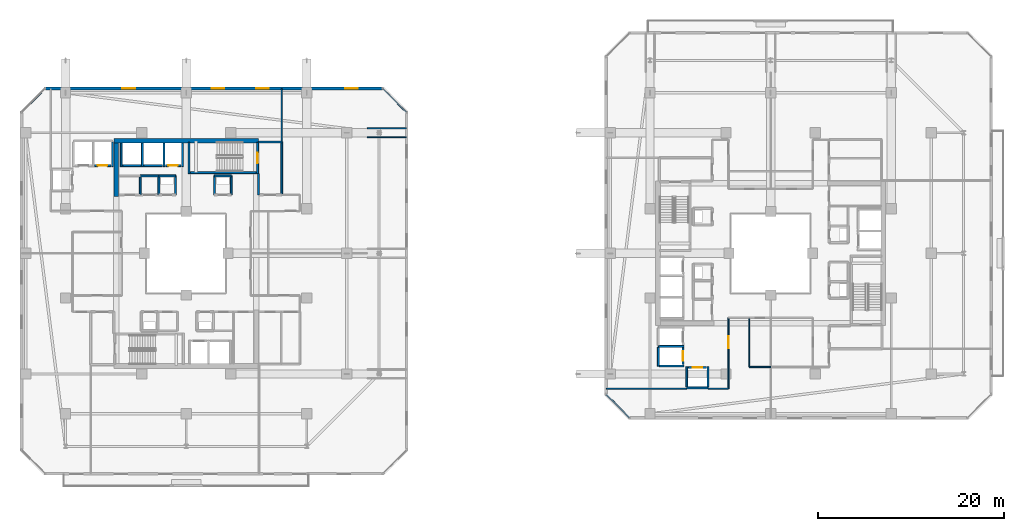
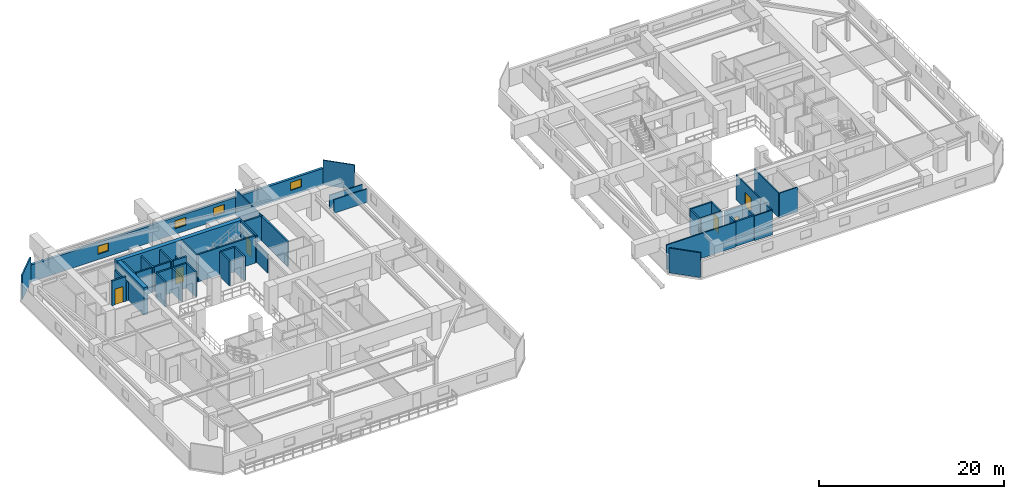
# One storey, part 25 of 36: 46 walls, 6 doors, 4 windows, 10 openings.
"""IFC4 building model written with IfcOpenShell, lengths in metres."""

from ifc_helpers import new_model, si_unit, direction, frame, frame_2d, origin, place, context, subcontext, project, spatial, rectangle, extrude, material, layer, layer_set, type_object, element, fill, save


model = new_model("IFC4")

# Units and contexts
model_context = context("Model", 3, precision=1e-05, world=origin(), true_north=direction((0.0, 1.0)))
body_context = subcontext(model_context, "Body", "Model", "MODEL_VIEW")
ifc_project = project(units=[si_unit("LENGTHUNIT", "METRE"), si_unit("AREAUNIT", "SQUARE_METRE"), si_unit("VOLUMEUNIT", "CUBIC_METRE"), si_unit("PLANEANGLEUNIT", "RADIAN"), si_unit("MASSUNIT", "GRAM", prefix="KILO")], contexts=[model_context])

# Site, building, storey
site_placement = place(None, origin())
site = spatial("IfcSite", under=ifc_project, at=site_placement, CompositionType="ELEMENT")
building_placement = place(site_placement, origin())
building = spatial("IfcBuilding", under=site, at=building_placement, Name="Thornwick Lancets Civic Towers", CompositionType="ELEMENT")
storey_placement = place(building_placement, frame((0.0, 0.0, 170.699951171875)))
storey = spatial("IfcBuildingStorey", under=building, at=storey_placement, Name="L45", CompositionType="ELEMENT", Elevation=170.699951171875)

# Wall, opening, door
ifc_material_1 = material(Name="Concrete blockwork C40/50", Category="masonry")
ifc_layer_1 = layer(ifc_material_1, 0.199951171875, Name="Concrete blockwork C40/50")
ifc_layer_set_1 = layer_set([ifc_layer_1], Name="Concrete blockwork C40/50")
wall_type_1 = type_object("IfcWallType", Name="WALL_COMP_200", PredefinedType="STANDARD", material=ifc_layer_set_1)
wall_1_placement = place(storey_placement, frame((24.919921875, 36.449951171875, 0.0), z_axis=(0.0, 0.0, 1.0), x_axis=(-1.0, 0.0, 0.0)))
wall_1 = element("IfcWall", 1, at=wall_1_placement, inside=storey, type_object=wall_type_1, Name="L45 Hoistway Front Wall FL-A2", PredefinedType="STANDARD", context=body_context, shape_type="SweptSolid", body=[
    extrude(rectangle(XDim=1.639892578125, YDim=0.199951171875, at=frame_2d((0.81982421875, 0.0))), origin(), (0.0, 0.0, 1.0), 3.260009765625),
])
opening_1_placement = place(wall_1_placement, frame((0.31005859375, 0.0, 0.0)))
opening_1 = element("IfcOpeningElement", 2, at=opening_1_placement, cuts=wall_1, Name="Opening LD-FL-A2", PredefinedType="OPENING", context=body_context, shape_type="SweptSolid", body=[
    extrude(rectangle(XDim=1.02001953125, YDim=2.06005859375, at=frame_2d((0.510009765625, 1.030029296875))), frame((0.0, 0.10986328125, 0.0), z_axis=(0.0, -1.0, 0.0), x_axis=(1.0, 0.0, 0.0)), (0.0, 0.0, 1.0), 0.219970703125),
])
ifc_material_2 = material(Name="Brushed bronze stainless steel", Category="steel")
door_type_1 = type_object("IfcDoorType", Name="DOOR_LIFT_SLIDE", OperationType="SLIDING_TO_LEFT", PredefinedType="DOOR", material=ifc_material_2)
door_1_placement = place(opening_1_placement, origin())
door_1 = element("IfcDoor", 3, at=door_1_placement, inside=storey, type_object=door_type_1, Name="L45 Sliding Lift Landing Door LD-FL-A2", OperationType="SLIDING_TO_LEFT", OverallHeight=2.06005859375, OverallWidth=1.02001953125, PredefinedType="DOOR", context=body_context, shape_type="SweptSolid", body=[
    extrude(rectangle(XDim=1.02001953125, YDim=2.06005859375, at=frame_2d((0.510009765625, 1.030029296875))), frame((0.0, 0.02490234375, 0.0), z_axis=(0.0, -1.0, 0.0), x_axis=(1.0, 0.0, 0.0)), (0.0, 0.0, 1.0), 0.050048828125),
])
fill(opening_1, door_1)

# Walls
wall_2_placement = place(storey_placement, frame((22.919921875, 36.449951171875, 0.0), z_axis=(0.0, 0.0, 1.0), x_axis=(-1.0, 0.0, 0.0)))
element("IfcWall", 4, at=wall_2_placement, inside=storey, type_object=wall_type_1, Name="L45 Hoistway Front Wall PL-AH2", PredefinedType="STANDARD", context=body_context, shape_type="SweptSolid", body=[
    extrude(rectangle(XDim=1.989990234375, YDim=0.199951171875, at=frame_2d((0.9951171875, 0.0))), origin(), (0.0, 0.0, 1.0), 3.260009765625),
])
wall_3_placement = place(storey_placement, frame((20.6201171875, 36.449951171875, 0.0), z_axis=(0.0, 0.0, 1.0), x_axis=(-1.0, 0.0, 0.0)))
element("IfcWall", 5, at=wall_3_placement, inside=storey, type_object=wall_type_1, Name="L45 Hoistway Front Wall PL-AH3", PredefinedType="STANDARD", context=body_context, shape_type="SweptSolid", body=[
    extrude(rectangle(XDim=1.940185546875, YDim=0.199951171875, at=frame_2d((0.97021484375, 0.0))), origin(), (0.0, 0.0, 1.0), 3.260009765625),
])

# Wall, opening, door
wall_4_placement = place(storey_placement, frame((17.3701171875, 36.449951171875, 0.0), z_axis=(0.0, 0.0, 1.0), x_axis=(-1.0, 0.0, 0.0)))
wall_4 = element("IfcWall", 6, at=wall_4_placement, inside=storey, type_object=wall_type_1, Name="L45 Hoistway Front Wall PL-AM1", PredefinedType="STANDARD", context=body_context, shape_type="SweptSolid", body=[
    extrude(rectangle(XDim=1.740234375, YDim=0.199951171875, at=frame_2d((0.8701171875, 0.0))), origin(), (0.0, 0.0, 1.0), 3.260009765625),
])
opening_2_placement = place(wall_4_placement, frame((0.360107421875, 0.0, 0.0)))
opening_2 = element("IfcOpeningElement", 7, at=opening_2_placement, cuts=wall_4, Name="Opening LD-PL-AM1", PredefinedType="OPENING", context=body_context, shape_type="SweptSolid", body=[
    extrude(rectangle(XDim=1.02001953125, YDim=2.06005859375, at=frame_2d((0.510009765625, 1.030029296875))), frame((0.0, 0.10986328125, 0.0), z_axis=(0.0, -1.0, 0.0), x_axis=(1.0, 0.0, 0.0)), (0.0, 0.0, 1.0), 0.219970703125),
])
door_2_placement = place(opening_2_placement, origin())
door_2 = element("IfcDoor", 8, at=door_2_placement, inside=storey, type_object=door_type_1, Name="L45 Sliding Lift Landing Door LD-PL-AM1", OperationType="SLIDING_TO_LEFT", OverallHeight=2.06005859375, OverallWidth=1.02001953125, PredefinedType="DOOR", context=body_context, shape_type="SweptSolid", body=[
    extrude(rectangle(XDim=1.02001953125, YDim=2.06005859375, at=frame_2d((0.510009765625, 1.030029296875))), frame((0.0, 0.02490234375, 0.0), z_axis=(0.0, -1.0, 0.0), x_axis=(1.0, 0.0, 0.0)), (0.0, 0.0, 1.0), 0.050048828125),
])
fill(opening_2, door_2)

wall_5_placement = place(storey_placement, frame((79.050048828125, 15.030029296875, 0.0), z_axis=(0.0, 0.0, 1.0), x_axis=(0.0, 1.0, 0.0)))
wall_5 = element("IfcWall", 9, at=wall_5_placement, inside=storey, type_object=wall_type_1, Name="L45 Hoistway Front Wall PL-BM2", PredefinedType="STANDARD", context=body_context, shape_type="SweptSolid", body=[
    extrude(rectangle(XDim=1.7900390625, YDim=0.199951171875, at=frame_2d((0.89501953125, 0.0))), origin(), (0.0, 0.0, 1.0), 3.260009765625),
])
opening_3_placement = place(wall_5_placement, frame((0.385009765625, 0.0, 0.0)))
opening_3 = element("IfcOpeningElement", 10, at=opening_3_placement, cuts=wall_5, Name="Opening LD-PL-BM2", PredefinedType="OPENING", context=body_context, shape_type="SweptSolid", body=[
    extrude(rectangle(XDim=1.02001953125, YDim=2.06005859375, at=frame_2d((0.510009765625, 1.030029296875))), frame((0.0, 0.10986328125, 0.0), z_axis=(0.0, -1.0, 0.0), x_axis=(1.0, 0.0, 0.0)), (0.0, 0.0, 1.0), 0.219970703125),
])
door_3_placement = place(opening_3_placement, origin())
door_3 = element("IfcDoor", 11, at=door_3_placement, inside=storey, type_object=door_type_1, Name="L45 Sliding Lift Landing Door LD-PL-BM2", OperationType="SLIDING_TO_LEFT", OverallHeight=2.06005859375, OverallWidth=1.02001953125, PredefinedType="DOOR", context=body_context, shape_type="SweptSolid", body=[
    extrude(rectangle(XDim=1.02001953125, YDim=2.06005859375, at=frame_2d((0.510009765625, 1.030029296875))), frame((0.0, 0.02490234375, 0.0), z_axis=(0.0, -1.0, 0.0), x_axis=(1.0, 0.0, 0.0)), (0.0, 0.0, 1.0), 0.050048828125),
])
fill(opening_3, door_3)

wall_6_placement = place(storey_placement, frame((79.6298828125, 14.699951171875, 0.0), z_axis=(0.0, 0.0, 1.0), x_axis=(1.0, 0.0, 0.0)))
wall_6 = element("IfcWall", 12, at=wall_6_placement, inside=storey, type_object=wall_type_1, Name="L45 Hoistway Front Wall PL-BM3", PredefinedType="STANDARD", context=body_context, shape_type="SweptSolid", body=[
    extrude(rectangle(XDim=1.940185546875, YDim=0.199951171875, at=frame_2d((0.97021484375, 0.0))), origin(), (0.0, 0.0, 1.0), 3.260009765625),
])
opening_4_placement = place(wall_6_placement, frame((0.4599609375, 0.0, 0.0)))
opening_4 = element("IfcOpeningElement", 13, at=opening_4_placement, cuts=wall_6, Name="Opening LD-PL-BM3", PredefinedType="OPENING", context=body_context, shape_type="SweptSolid", body=[
    extrude(rectangle(XDim=1.02001953125, YDim=2.06005859375, at=frame_2d((0.510009765625, 1.030029296875))), frame((0.0, 0.10986328125, 0.0), z_axis=(0.0, -1.0, 0.0), x_axis=(1.0, 0.0, 0.0)), (0.0, 0.0, 1.0), 0.219970703125),
])
door_4_placement = place(opening_4_placement, origin())
door_4 = element("IfcDoor", 14, at=door_4_placement, inside=storey, type_object=door_type_1, Name="L45 Sliding Lift Landing Door LD-PL-BM3", OperationType="SLIDING_TO_LEFT", OverallHeight=2.06005859375, OverallWidth=1.02001953125, PredefinedType="DOOR", context=body_context, shape_type="SweptSolid", body=[
    extrude(rectangle(XDim=1.02001953125, YDim=2.06005859375, at=frame_2d((0.510009765625, 1.030029296875))), frame((0.0, 0.02490234375, 0.0), z_axis=(0.0, -1.0, 0.0), x_axis=(1.0, 0.0, 0.0)), (0.0, 0.0, 1.0), 0.050048828125),
])
fill(opening_4, door_4)

# Walls
wall_7_placement = place(storey_placement, frame((25.10009765625, 36.35205078125, 0.0), z_axis=(0.0, 0.0, 1.0), x_axis=(0.0, 1.0, 0.0)))
element("IfcWall", 15, at=wall_7_placement, inside=storey, type_object=wall_type_1, Name="L45 Hoistway Shaft Wall FL-A2 E", PredefinedType="STANDARD", context=body_context, shape_type="SweptSolid", body=[
    extrude(rectangle(XDim=2.535888671875, YDim=0.199951171875, at=frame_2d((1.26806640625, 0.0))), origin(), (0.0, 0.0, 1.0), 1.78515625),
])
for number, where, z_axis, x_axis, name in (
    (16, (23.10009765625, 36.35205078125, 0.0), (0.0, 0.0, 1.0), (0.0, 1.0, 0.0), "L45 Hoistway Shaft Wall FL-A2 W"),
    (17, (20.77490234375, 36.35205078125, 0.0), (0.0, 0.0, 1.0), (0.0, 1.0, 0.0), "L45 Hoistway Shaft Wall PL-AH2 W"),
    (18, (18.5, 36.35205078125, 0.0), (0.0, 0.0, 1.0), (0.0, 1.0, 0.0), "L45 Hoistway Shaft Wall PL-AH3 W"),
):
    element("IfcWall", number, at=place(storey_placement, frame(where, z_axis=z_axis, x_axis=x_axis)), inside=storey, type_object=wall_type_1, Name=name, PredefinedType="STANDARD", context=body_context, shape_type="SweptSolid", body=[
        extrude(rectangle(XDim=2.535888671875, YDim=0.199951171875, at=frame_2d((1.26806640625, 0.0))), origin(), (0.0, 0.0, 1.0), 3.260009765625),
    ])
wall_8_placement = place(storey_placement, frame((17.550048828125, 36.35205078125, 0.0), z_axis=(0.0, 0.0, 1.0), x_axis=(0.0, 1.0, 0.0)))
element("IfcWall", 19, at=wall_8_placement, inside=storey, type_object=wall_type_1, Name="L45 Hoistway Shaft Wall PL-AM1 E", PredefinedType="STANDARD", context=body_context, shape_type="SweptSolid", body=[
    extrude(rectangle(XDim=2.635986328125, YDim=0.199951171875, at=frame_2d((1.31787109375, 0.0))), origin(), (0.0, 0.0, 1.0), 2.465087890625),
])
wall_9_placement = place(storey_placement, frame((76.402099609375, 16.97509765625, 0.0), z_axis=(0.0, 0.0, 1.0), x_axis=(1.0, 0.0, 0.0)))
element("IfcWall", 20, at=wall_9_placement, inside=storey, type_object=wall_type_1, Name="L45 Hoistway Shaft Wall PL-BM1 S", PredefinedType="STANDARD", context=body_context, shape_type="SweptSolid", body=[
    extrude(rectangle(XDim=2.745849609375, YDim=0.199951171875, at=frame_2d((1.373046875, 0.0))), origin(), (0.0, 0.0, 1.0), 3.260009765625),
])
wall_10_placement = place(storey_placement, frame((76.39990234375, 14.85205078125, 0.0), z_axis=(0.0, 0.0, 1.0), x_axis=(0.0, 1.0, 0.0)))
element("IfcWall", 21, at=wall_10_placement, inside=storey, type_object=wall_type_1, Name="L45 Hoistway Shaft Wall PL-BM1 W", PredefinedType="STANDARD", context=body_context, shape_type="SweptSolid", body=[
    extrude(rectangle(XDim=2.015869140625, YDim=0.199951171875, at=frame_2d((1.0078125, 0.0))), origin(), (0.0, 0.0, 1.0), 3.260009765625),
])
wall_11_placement = place(storey_placement, frame((76.511962890625, 14.85009765625, 0.0), z_axis=(0.0, 0.0, 1.0), x_axis=(1.0, 0.0, 0.0)))
element("IfcWall", 22, at=wall_11_placement, inside=storey, type_object=wall_type_1, Name="L45 Hoistway Shaft Wall PL-BM2 S", PredefinedType="STANDARD", context=body_context, shape_type="SweptSolid", body=[
    extrude(rectangle(XDim=2.635986328125, YDim=0.199951171875, at=frame_2d((1.31787109375, 0.0))), origin(), (0.0, 0.0, 1.0), 3.260009765625),
])
wall_12_placement = place(storey_placement, frame((79.451904296875, 12.5, 0.0), z_axis=(0.0, 0.0, 1.0), x_axis=(1.0, 0.0, 0.0)))
element("IfcWall", 23, at=wall_12_placement, inside=storey, type_object=wall_type_1, Name="L45 Hoistway Shaft Wall PL-BM3 S", PredefinedType="STANDARD", context=body_context, shape_type="SweptSolid", body=[
    extrude(rectangle(XDim=2.296142578125, YDim=0.199951171875, at=frame_2d((1.14794921875, 0.0))), origin(), (0.0, 0.0, 1.0), 3.260009765625),
])
for number, where, z_axis, x_axis, name in (
    (24, (81.75, 12.612060546875, 0.0), (0.0, 0.0, 1.0), (0.0, 1.0, 0.0), "L45 Hoistway Shaft Wall PL-BM3 E"),
    (25, (79.449951171875, 12.612060546875, 0.0), (0.0, 0.0, 1.0), (0.0, 1.0, 0.0), "L45 Hoistway Shaft Wall PL-BM3 W"),
):
    element("IfcWall", number, at=place(storey_placement, frame(where, z_axis=z_axis, x_axis=x_axis)), inside=storey, type_object=wall_type_1, Name=name, PredefinedType="STANDARD", context=body_context, shape_type="SweptSolid", body=[
        extrude(rectangle(XDim=2.18603515625, YDim=0.199951171875, at=frame_2d((1.093017578125, 0.0))), origin(), (0.0, 0.0, 1.0), 3.260009765625),
    ])
wall_13_placement = place(storey_placement, frame((35.800048828125, 33.300048828125, 0.0), z_axis=(0.0, 0.0, 1.0), x_axis=(0.0, 1.0, 0.0)))
element("IfcWall", 26, at=wall_13_placement, inside=storey, type_object=wall_type_1, Name="L45 Partition L45-A-FFLOB2 E2", PredefinedType="STANDARD", context=body_context, shape_type="SweptSolid", body=[
    extrude(rectangle(XDim=5.699951171875, YDim=0.199951171875, at=frame_2d((2.85009765625, 0.0))), origin(), (0.0, 0.0, 1.0), 3.260009765625),
])
wall_14_placement = place(storey_placement, frame((35.800048828125, 39.0, 0.0), z_axis=(0.0, 0.0, 1.0), x_axis=(-1.0, 0.0, 0.0)))
element("IfcWall", 27, at=wall_14_placement, inside=storey, type_object=wall_type_1, Name="L45 Partition L45-A-FFLOB2 E3", PredefinedType="STANDARD", context=body_context, shape_type="SweptSolid", body=[
    extrude(rectangle(XDim=2.5, YDim=0.199951171875, at=frame_2d((1.25, 0.0))), origin(), (0.0, 0.0, 1.0), 3.260009765625),
])
wall_15_placement = place(storey_placement, frame((33.300048828125, 35.60009765625, 0.0), z_axis=(0.0, 0.0, 1.0), x_axis=(0.0, -1.0, 0.0)))
element("IfcWall", 28, at=wall_15_placement, inside=storey, type_object=wall_type_1, Name="L45 Partition L45-A-FFLOB2 E4", PredefinedType="STANDARD", context=body_context, shape_type="SweptSolid", body=[
    extrude(rectangle(XDim=2.300048828125, YDim=0.199951171875, at=frame_2d((1.14990234375, 0.0))), origin(), (0.0, 0.0, 1.0), 2.465087890625),
])
wall_16_placement = place(storey_placement, frame((24.35009765625, 33.300048828125, 0.0), z_axis=(0.0, 0.0, 1.0), x_axis=(0.0, 1.0, 0.0)))
element("IfcWall", 29, at=wall_16_placement, inside=storey, type_object=wall_type_1, Name="L45 Partition L45-A-DUCT2 E2", PredefinedType="STANDARD", context=body_context, shape_type="SweptSolid", body=[
    extrude(rectangle(XDim=2.050048828125, YDim=0.199951171875, at=frame_2d((1.02490234375, 0.0))), origin(), (0.0, 0.0, 1.0), 3.260009765625),
])
wall_17_placement = place(storey_placement, frame((24.35009765625, 35.35009765625, 0.0), z_axis=(0.0, 0.0, 1.0), x_axis=(-1.0, 0.0, 0.0)))
element("IfcWall", 30, at=wall_17_placement, inside=storey, type_object=wall_type_1, Name="L45 Partition L45-A-DUCT2 E3", PredefinedType="STANDARD", context=body_context, shape_type="SweptSolid", body=[
    extrude(rectangle(XDim=1.800048828125, YDim=0.199951171875, at=frame_2d((0.89990234375, 0.0))), origin(), (0.0, 0.0, 1.0), 3.260009765625),
])
for number, where, z_axis, x_axis, name in (
    (31, (22.550048828125, 35.35009765625, 0.0), (0.0, 0.0, 1.0), (0.0, -1.0, 0.0), "L45 Partition L45-A-DUCT2 E4"),
    (32, (30.35009765625, 33.300048828125, 0.0), (0.0, 0.0, 1.0), (0.0, 1.0, 0.0), "L45 Partition L45-A-RISER2 E2"),
):
    element("IfcWall", number, at=place(storey_placement, frame(where, z_axis=z_axis, x_axis=x_axis)), inside=storey, type_object=wall_type_1, Name=name, PredefinedType="STANDARD", context=body_context, shape_type="SweptSolid", body=[
        extrude(rectangle(XDim=2.050048828125, YDim=0.199951171875, at=frame_2d((1.02490234375, 0.0))), origin(), (0.0, 0.0, 1.0), 3.260009765625),
    ])
wall_18_placement = place(storey_placement, frame((30.35009765625, 35.35009765625, 0.0), z_axis=(0.0, 0.0, 1.0), x_axis=(-1.0, 0.0, 0.0)))
element("IfcWall", 33, at=wall_18_placement, inside=storey, type_object=wall_type_1, Name="L45 Partition L45-A-RISER2 E3", PredefinedType="STANDARD", context=body_context, shape_type="SweptSolid", body=[
    extrude(rectangle(XDim=1.800048828125, YDim=0.199951171875, at=frame_2d((0.89990234375, 0.0))), origin(), (0.0, 0.0, 1.0), 3.260009765625),
])
for number, where, z_axis, x_axis, name in (
    (34, (28.550048828125, 35.35009765625, 0.0), (0.0, 0.0, 1.0), (0.0, -1.0, 0.0), "L45 Partition L45-A-RISER2 E4"),
    (35, (20.550048828125, 33.300048828125, 0.0), (0.0, 0.0, 1.0), (0.0, 1.0, 0.0), "L45 Partition L45-A-STR E1"),
):
    element("IfcWall", number, at=place(storey_placement, frame(where, z_axis=z_axis, x_axis=x_axis)), inside=storey, type_object=wall_type_1, Name=name, PredefinedType="STANDARD", context=body_context, shape_type="SweptSolid", body=[
        extrude(rectangle(XDim=2.050048828125, YDim=0.199951171875, at=frame_2d((1.02490234375, 0.0))), origin(), (0.0, 0.0, 1.0), 3.260009765625),
    ])
wall_19_placement = place(storey_placement, frame((20.550048828125, 35.35009765625, 0.0), z_axis=(0.0, 0.0, 1.0), x_axis=(1.0, 0.0, 0.0)))
element("IfcWall", 36, at=wall_19_placement, inside=storey, type_object=wall_type_1, Name="L45 Partition L45-A-STR E2", PredefinedType="STANDARD", context=body_context, shape_type="SweptSolid", body=[
    extrude(rectangle(XDim=2.0, YDim=0.199951171875, at=frame_2d((1.0, 0.0))), origin(), (0.0, 0.0, 1.0), 3.260009765625),
])
ifc_material_3 = material(Name="Concrete C50/60", Category="concrete")
ifc_layer_2 = layer(ifc_material_3, 0.5, Name="Concrete C50/60")
ifc_layer_set_2 = layer_set([ifc_layer_2], Name="Concrete C50/60")
wall_type_2 = type_object("IfcWallType", Name="WALL_CORE_500", PredefinedType="SHEAR", material=ifc_layer_set_2)
wall_20_placement = place(storey_placement, frame((17.699951171875, 39.14990234375, 0.0), z_axis=(0.0, 0.0, 1.0), x_axis=(1.0, 0.0, 0.0)))
element("IfcWall", 37, at=wall_20_placement, inside=storey, type_object=wall_type_2, Name="L45 Split Core A2 Shear Wall N", PredefinedType="SHEAR", context=body_context, shape_type="SweptSolid", body=[
    extrude(rectangle(XDim=15.60009765625, YDim=0.5, at=frame_2d((7.800048828125, 0.0))), origin(), (0.0, 0.0, 1.0), 3.60009765625),
])
wall_21_placement = place(storey_placement, frame((17.949951171875, 33.10009765625, 0.0), z_axis=(0.0, 0.0, 1.0), x_axis=(0.0, 1.0, 0.0)))
element("IfcWall", 38, at=wall_21_placement, inside=storey, type_object=wall_type_2, Name="L45 Split Core A2 Shear Wall W", PredefinedType="SHEAR", context=body_context, shape_type="SweptSolid", body=[
    extrude(rectangle(XDim=5.7998046875, YDim=0.5, at=frame_2d((2.89990234375, 0.0))), origin(), (0.0, 0.0, 1.0), 3.60009765625),
])

# Wall, openings, windows
ifc_material_4 = material(Name="Insulated russet terracotta rainscreen on concrete C40/50", Category="masonry")
ifc_layer_3 = layer(ifc_material_4, 0.300048828125, Name="Insulated russet terracotta rainscreen on concrete C40/50")
ifc_layer_set_3 = layer_set([ifc_layer_3], Name="Insulated russet terracotta rainscreen on concrete C40/50")
wall_type_3 = type_object("IfcWallType", Name="WALL_EXT_RUSSET_300", PredefinedType="STANDARD", material=ifc_layer_set_3)
wall_22_placement = place(storey_placement, frame((46.681396484375, 44.7646484375, 0.0), z_axis=(0.0, 0.0, 1.0), x_axis=(-1.0, 0.0, 0.0)))
wall_22 = element("IfcWall", 39, at=wall_22_placement, inside=storey, type_object=wall_type_3, Name="L45 Tower A Terracotta Facade Wall E4", PredefinedType="STANDARD", context=body_context, shape_type="SweptSolid", body=[
    extrude(rectangle(XDim=36.36279296875, YDim=0.300048828125, at=frame_2d((18.181396484375, 0.0))), origin(), (0.0, 0.0, 1.0), 2.219970703125),
])
opening_5_placement = place(wall_22_placement, frame((2.699951171875, 0.0, 0.719970703125)))
opening_5 = element("IfcOpeningElement", 40, at=opening_5_placement, cuts=wall_22, Name="Opening WL-03", PredefinedType="OPENING", context=body_context, shape_type="SweptSolid", body=[
    extrude(rectangle(XDim=1.35009765625, YDim=1.050048828125, at=frame_2d((0.675048828125, 0.52490234375))), frame((0.0, 0.16015625, 0.0), z_axis=(0.0, -1.0, 0.0), x_axis=(1.0, 0.0, 0.0)), (0.0, 0.0, 1.0), 0.320068359375),
])
opening_6_placement = place(wall_22_placement, frame((12.300048828125, 0.0, 0.719970703125)))
opening_6 = element("IfcOpeningElement", 41, at=opening_6_placement, cuts=wall_22, Name="Opening WL-03", PredefinedType="OPENING", context=body_context, shape_type="SweptSolid", body=[
    extrude(rectangle(XDim=1.35009765625, YDim=1.050048828125, at=frame_2d((0.675048828125, 0.52490234375))), frame((0.0, 0.16015625, 0.0), z_axis=(0.0, -1.0, 0.0), x_axis=(1.0, 0.0, 0.0)), (0.0, 0.0, 1.0), 0.320068359375),
])
opening_7_placement = place(wall_22_placement, frame((17.10009765625, 0.0, 0.719970703125)))
opening_7 = element("IfcOpeningElement", 42, at=opening_7_placement, cuts=wall_22, Name="Opening WL-03", PredefinedType="OPENING", context=body_context, shape_type="SweptSolid", body=[
    extrude(rectangle(XDim=1.35009765625, YDim=1.050048828125, at=frame_2d((0.675048828125, 0.52490234375))), frame((0.0, 0.16015625, 0.0), z_axis=(0.0, -1.0, 0.0), x_axis=(1.0, 0.0, 0.0)), (0.0, 0.0, 1.0), 0.320068359375),
])
opening_8_placement = place(wall_22_placement, frame((26.699951171875, 0.0, 0.719970703125)))
opening_8 = element("IfcOpeningElement", 43, at=opening_8_placement, cuts=wall_22, Name="Opening WL-03", PredefinedType="OPENING", context=body_context, shape_type="SweptSolid", body=[
    extrude(rectangle(XDim=1.35009765625, YDim=1.050048828125, at=frame_2d((0.675048828125, 0.52490234375))), frame((0.0, 0.16015625, 0.0), z_axis=(0.0, -1.0, 0.0), x_axis=(1.0, 0.0, 0.0)), (0.0, 0.0, 1.0), 0.320068359375),
])
ifc_material_5 = material(Name="Clear low-e double glazing clerestory lancet", Category="glass")
window_type = type_object("IfcWindowType", Name="WIN_LANCET_1350", PartitioningType="SINGLE_PANEL", PredefinedType="WINDOW", material=ifc_material_5)
window_1_placement = place(opening_5_placement, origin())
window_1 = element("IfcWindow", 44, at=window_1_placement, inside=storey, type_object=window_type, Name="L45 Tower A Staggered Lancet Window E4-1", OverallHeight=1.050048828125, OverallWidth=1.35009765625, PartitioningType="SINGLE_PANEL", PredefinedType="WINDOW", context=body_context, shape_type="SweptSolid", body=[
    extrude(rectangle(XDim=1.35009765625, YDim=1.050048828125, at=frame_2d((0.675048828125, 0.52490234375))), frame((0.0, 0.030029296875, 0.0), z_axis=(0.0, -1.0, 0.0), x_axis=(1.0, 0.0, 0.0)), (0.0, 0.0, 1.0), 0.06005859375),
])
fill(opening_5, window_1)
window_2_placement = place(opening_6_placement, origin())
window_2 = element("IfcWindow", 45, at=window_2_placement, inside=storey, type_object=window_type, Name="L45 Tower A Staggered Lancet Window E4-2", OverallHeight=1.050048828125, OverallWidth=1.35009765625, PartitioningType="SINGLE_PANEL", PredefinedType="WINDOW", context=body_context, shape_type="SweptSolid", body=[
    extrude(rectangle(XDim=1.35009765625, YDim=1.050048828125, at=frame_2d((0.675048828125, 0.52490234375))), frame((0.0, 0.030029296875, 0.0), z_axis=(0.0, -1.0, 0.0), x_axis=(1.0, 0.0, 0.0)), (0.0, 0.0, 1.0), 0.06005859375),
])
fill(opening_6, window_2)
window_3_placement = place(opening_7_placement, origin())
window_3 = element("IfcWindow", 46, at=window_3_placement, inside=storey, type_object=window_type, Name="L45 Tower A Staggered Lancet Window E4-3", OverallHeight=1.050048828125, OverallWidth=1.35009765625, PartitioningType="SINGLE_PANEL", PredefinedType="WINDOW", context=body_context, shape_type="SweptSolid", body=[
    extrude(rectangle(XDim=1.35009765625, YDim=1.050048828125, at=frame_2d((0.675048828125, 0.52490234375))), frame((0.0, 0.030029296875, 0.0), z_axis=(0.0, -1.0, 0.0), x_axis=(1.0, 0.0, 0.0)), (0.0, 0.0, 1.0), 0.06005859375),
])
fill(opening_7, window_3)
window_4_placement = place(opening_8_placement, origin())
window_4 = element("IfcWindow", 47, at=window_4_placement, inside=storey, type_object=window_type, Name="L45 Tower A Staggered Lancet Window E4-4", OverallHeight=1.050048828125, OverallWidth=1.35009765625, PartitioningType="SINGLE_PANEL", PredefinedType="WINDOW", context=body_context, shape_type="SweptSolid", body=[
    extrude(rectangle(XDim=1.35009765625, YDim=1.050048828125, at=frame_2d((0.675048828125, 0.52490234375))), frame((0.0, 0.030029296875, 0.0), z_axis=(0.0, -1.0, 0.0), x_axis=(1.0, 0.0, 0.0)), (0.0, 0.0, 1.0), 0.06005859375),
])
fill(opening_8, window_4)

# Walls
ifc_material_6 = material(Name="Acoustic gypsum board partition")
ifc_layer_4 = layer(ifc_material_6, 0.1201171875, Name="Acoustic gypsum board partition")
ifc_layer_set_4 = layer_set([ifc_layer_4], Name="Acoustic gypsum board partition")
wall_type_4 = type_object("IfcWallType", Name="WALL_PART_120", PredefinedType="PARTITIONING", material=ifc_layer_set_4)
wall_23_placement = place(storey_placement, frame((35.800048828125, 39.0, 0.0), z_axis=(0.0, 0.0, 1.0), x_axis=(0.0, 1.0, 0.0)))
element("IfcWall", 48, at=wall_23_placement, inside=storey, type_object=wall_type_4, Name="L45 Partition L45-A-E4 E6", PredefinedType="PARTITIONING", context=body_context, shape_type="SweptSolid", body=[
    extrude(rectangle(XDim=5.719970703125, YDim=0.1201171875, at=frame_2d((2.85986328125, 0.0))), origin(), (0.0, 0.0, 1.0), 3.260009765625),
])
wall_24_placement = place(storey_placement, frame((46.725341796875, 44.719970703125, 0.0), z_axis=(0.0, 0.0, 1.0), x_axis=(0.707106781187, -0.707106781187, 0.0)))
element("IfcWall", 49, at=wall_24_placement, inside=storey, type_object=wall_type_4, Name="L45 Partition L45-A-E4 E8", PredefinedType="PARTITIONING", context=body_context, shape_type="SweptSolid", body=[
    extrude(rectangle(XDim=3.52783203125, YDim=0.1201171875, at=frame_2d((1.763916015625, 0.0))), origin(), (0.0, 0.0, 1.0), 3.260009765625),
])
for number, where, z_axis, x_axis, name in (
    (50, (49.219970703125, 40.47998046875, 0.0), (0.0, 0.0, 1.0), (-1.0, 0.0, 0.0), "L45 Partition L45-A-E4 E10"),
    (51, (45.0419921875, 39.52001953125, 0.0), (0.0, 0.0, 1.0), (1.0, 0.0, 0.0), "L45 Partition L45-A-E4 E12"),
):
    element("IfcWall", number, at=place(storey_placement, frame(where, z_axis=z_axis, x_axis=x_axis)), inside=storey, type_object=wall_type_4, Name=name, PredefinedType="PARTITIONING", context=body_context, shape_type="SweptSolid", body=[
        extrude(rectangle(XDim=4.177978515625, YDim=0.1201171875, at=frame_2d((2.0888671875, 0.0))), origin(), (0.0, 0.0, 1.0), 1.78515625),
    ])
wall_25_placement = place(storey_placement, frame((86.199951171875, 14.75, 0.0), z_axis=(0.0, 0.0, 1.0), x_axis=(0.0, 1.0, 0.0)))
element("IfcWall", 52, at=wall_25_placement, inside=storey, type_object=wall_type_4, Name="L45 Partition L45-B-W3 E1", PredefinedType="PARTITIONING", context=body_context, shape_type="SweptSolid", body=[
    extrude(rectangle(XDim=5.300048828125, YDim=0.1201171875, at=frame_2d((2.64990234375, 0.0))), origin(), (0.0, 0.0, 1.0), 3.260009765625),
])
wall_26_placement = place(storey_placement, frame((88.5, 14.75, 0.0), z_axis=(0.0, 0.0, 1.0), x_axis=(-1.0, 0.0, 0.0)))
element("IfcWall", 53, at=wall_26_placement, inside=storey, type_object=wall_type_4, Name="L45 Partition L45-B-W3 E4", PredefinedType="PARTITIONING", context=body_context, shape_type="SweptSolid", body=[
    extrude(rectangle(XDim=2.300048828125, YDim=0.1201171875, at=frame_2d((1.14990234375, 0.0))), origin(), (0.0, 0.0, 1.0), 3.260009765625),
])
ifc_material_7 = material(Name="Twin-stud acoustic gypsum board")
ifc_layer_5 = layer(ifc_material_7, 0.14990234375, Name="Twin-stud acoustic gypsum board")
ifc_layer_set_5 = layer_set([ifc_layer_5], Name="Twin-stud acoustic gypsum board")
wall_type_5 = type_object("IfcWallType", Name="WALL_PART_150", PredefinedType="PARTITIONING", material=ifc_layer_set_5)
wall_27_placement = place(storey_placement, frame((7.780029296875, 42.225341796875, 0.0), z_axis=(0.0, 0.0, 1.0), x_axis=(0.707106781187, 0.707106781187, 0.0)))
element("IfcWall", 54, at=wall_27_placement, inside=storey, type_object=wall_type_5, Name="L45 Partition L45-A-W4 E7", PredefinedType="PARTITIONING", context=body_context, shape_type="SweptSolid", body=[
    extrude(rectangle(XDim=3.52783203125, YDim=0.14990234375, at=frame_2d((1.763916015625, 0.0))), origin(), (0.0, 0.0, 1.0), 3.260009765625),
])

# Wall, opening, door
wall_28_placement = place(storey_placement, frame((83.949951171875, 14.75, 0.0), z_axis=(0.0, 0.0, 1.0), x_axis=(0.0, 1.0, 0.0)))
wall_28 = element("IfcWall", 55, at=wall_28_placement, inside=storey, type_object=wall_type_5, Name="L45 Partition L45-B-W4 E1", PredefinedType="PARTITIONING", context=body_context, shape_type="SweptSolid", body=[
    extrude(rectangle(XDim=5.300048828125, YDim=0.14990234375, at=frame_2d((2.64990234375, 0.0))), origin(), (0.0, 0.0, 1.0), 3.260009765625),
])
opening_9_placement = place(wall_28_placement, frame((2.0, 0.0, 0.0)))
opening_9 = element("IfcOpeningElement", 56, at=opening_9_placement, cuts=wall_28, Name="Opening D-L45-2040", PredefinedType="OPENING", context=body_context, shape_type="SweptSolid", body=[
    extrude(rectangle(XDim=1.300048828125, YDim=2.1201171875, at=frame_2d((0.64990234375, 1.06005859375))), frame((0.0, 0.0849609375, 0.0), z_axis=(0.0, -1.0, 0.0), x_axis=(1.0, 0.0, 0.0)), (0.0, 0.0, 1.0), 0.169921875),
])
ifc_material_8 = material(Name="Acoustic oak leaf-and-a-half doorset")
door_type_2 = type_object("IfcDoorType", Name="DOOR_MEET_1300", OperationType="DOUBLE_DOOR_SINGLE_SWING", PredefinedType="DOOR", material=ifc_material_8)
door_5_placement = place(opening_9_placement, origin())
door_5 = element("IfcDoor", 57, at=door_5_placement, inside=storey, type_object=door_type_2, Name="L45 Tower B Policy Briefing Room W4 Door", OperationType="DOUBLE_DOOR_SINGLE_SWING", OverallHeight=2.1201171875, OverallWidth=1.300048828125, PredefinedType="DOOR", context=body_context, shape_type="SweptSolid", body=[
    extrude(rectangle(XDim=1.300048828125, YDim=2.1201171875, at=frame_2d((0.64990234375, 1.06005859375))), frame((0.0, 0.02490234375, 0.0), z_axis=(0.0, -1.0, 0.0), x_axis=(1.0, 0.0, 0.0)), (0.0, 0.0, 1.0), 0.050048828125),
])
fill(opening_9, door_5)

# Walls
wall_29_placement = place(storey_placement, frame((73.274658203125, 9.280029296875, 0.0), z_axis=(0.0, 0.0, 1.0), x_axis=(-0.707106781187, 0.707106781187, 0.0)))
element("IfcWall", 58, at=wall_29_placement, inside=storey, type_object=wall_type_5, Name="L45 Partition L45-B-W4 E7", PredefinedType="PARTITIONING", context=body_context, shape_type="SweptSolid", body=[
    extrude(rectangle(XDim=3.52783203125, YDim=0.14990234375, at=frame_2d((1.763916015625, 0.0))), origin(), (0.0, 0.0, 1.0), 3.260009765625),
])
wall_30_placement = place(storey_placement, frame((70.780029296875, 12.39990234375, 0.0), z_axis=(0.0, 0.0, 1.0), x_axis=(1.0, 0.0, 0.0)))
element("IfcWall", 59, at=wall_30_placement, inside=storey, type_object=wall_type_5, Name="L45 Partition L45-B-W4 E9", PredefinedType="PARTITIONING", context=body_context, shape_type="SweptSolid", body=[
    extrude(rectangle(XDim=8.671875, YDim=0.14990234375, at=frame_2d((4.3359375, 0.0))), origin(), (0.0, 0.0, 1.0), 3.260009765625),
])
wall_31_placement = place(storey_placement, frame((81.748046875, 12.39990234375, 0.0), z_axis=(0.0, 0.0, 1.0), x_axis=(1.0, 0.0, 0.0)))
element("IfcWall", 60, at=wall_31_placement, inside=storey, type_object=wall_type_5, Name="L45 Partition L45-B-W4 E9", PredefinedType="PARTITIONING", context=body_context, shape_type="SweptSolid", body=[
    extrude(rectangle(XDim=2.201904296875, YDim=0.14990234375, at=frame_2d((1.10107421875, 0.0))), origin(), (0.0, 0.0, 1.0), 3.260009765625),
])
wall_32_placement = place(storey_placement, frame((83.949951171875, 12.39990234375, 0.0), z_axis=(0.0, 0.0, 1.0), x_axis=(0.0, 1.0, 0.0)))
element("IfcWall", 61, at=wall_32_placement, inside=storey, type_object=wall_type_5, Name="L45 Partition L45-B-W4 E10", PredefinedType="PARTITIONING", context=body_context, shape_type="SweptSolid", body=[
    extrude(rectangle(XDim=2.35009765625, YDim=0.14990234375, at=frame_2d((1.175048828125, 0.0))), origin(), (0.0, 0.0, 1.0), 3.260009765625),
])

# Wall, opening, door
ifc_material_9 = material(Name="Concrete C40/50", Category="concrete")
ifc_layer_6 = layer(ifc_material_9, 0.199951171875, Name="Concrete C40/50")
ifc_layer_set_6 = layer_set([ifc_layer_6], Name="Concrete C40/50")
wall_type_6 = type_object("IfcWallType", Name="WALL_SHAFT_200", PredefinedType="SHEAR", material=ifc_layer_set_6)
wall_33_placement = place(storey_placement, frame((33.199951171875, 38.949951171875, 0.0), z_axis=(0.0, 0.0, 1.0), x_axis=(0.0, -1.0, 0.0)))
wall_33 = element("IfcWall", 62, at=wall_33_placement, inside=storey, type_object=wall_type_6, Name="L45 ST-A2 Fire Stair Core Wall NEAR", PredefinedType="SHEAR", context=body_context, shape_type="SweptSolid", body=[
    extrude(rectangle(XDim=3.349853515625, YDim=0.199951171875, at=frame_2d((1.6748046875, 0.0))), origin(), (0.0, 0.0, 1.0), 3.60009765625),
])
opening_10_placement = place(wall_33_placement, frame((1.125, 0.0, 0.0)))
opening_10 = element("IfcOpeningElement", 63, at=opening_10_placement, cuts=wall_33, Name="Opening D-ST-A2-L45", PredefinedType="OPENING", context=body_context, shape_type="SweptSolid", body=[
    extrude(rectangle(XDim=1.10009765625, YDim=2.10009765625, at=frame_2d((0.550048828125, 1.050048828125))), frame((0.0, 0.10986328125, 0.0), z_axis=(0.0, -1.0, 0.0), x_axis=(1.0, 0.0, 0.0)), (0.0, 0.0, 1.0), 0.219970703125),
])
ifc_material_10 = material(Name="Fire-resisting steel and hardwood", Category="steel")
door_type_3 = type_object("IfcDoorType", Name="DOOR_STAIR_FD60", OperationType="NOTDEFINED", PredefinedType="DOOR", material=ifc_material_10)
door_6_placement = place(opening_10_placement, origin())
door_6 = element("IfcDoor", 64, at=door_6_placement, inside=storey, type_object=door_type_3, Name="L45 ST-A2 Exit Stair Door", OperationType="SINGLE_SWING_LEFT", OverallHeight=2.10009765625, OverallWidth=1.10009765625, PredefinedType="DOOR", context=body_context, shape_type="SweptSolid", body=[
    extrude(rectangle(XDim=1.10009765625, YDim=2.10009765625, at=frame_2d((0.550048828125, 1.050048828125))), frame((0.0, 0.02490234375, 0.0), z_axis=(0.0, -1.0, 0.0), x_axis=(1.0, 0.0, 0.0)), (0.0, 0.0, 1.0), 0.050048828125),
])
fill(opening_10, door_6)

# Walls
wall_34_placement = place(storey_placement, frame((25.800048828125, 35.60009765625, 0.0), z_axis=(0.0, 0.0, 1.0), x_axis=(0.0, 1.0, 0.0)))
element("IfcWall", 65, at=wall_34_placement, inside=storey, type_object=wall_type_6, Name="L45 ST-A2 Fire Stair Core Wall FAR", PredefinedType="SHEAR", context=body_context, shape_type="SweptSolid", body=[
    extrude(rectangle(XDim=3.349853515625, YDim=0.199951171875, at=frame_2d((1.6748046875, 0.0))), origin(), (0.0, 0.0, 1.0), 3.60009765625),
])
wall_35_placement = place(storey_placement, frame((25.949951171875, 35.702880859375, 0.0), z_axis=(0.0, 0.0, 1.0), x_axis=(1.0, 0.0, 0.0)))
element("IfcWall", 66, at=wall_35_placement, inside=storey, type_object=wall_type_6, Name="L45 ST-A2 Fire Stair Core Wall RIGHT", PredefinedType="SHEAR", context=body_context, shape_type="SweptSolid", body=[
    extrude(rectangle(XDim=7.10009765625, YDim=0.199951171875, at=frame_2d((3.550048828125, 0.0))), origin(), (0.0, 0.0, 1.0), 3.60009765625),
])

save(model, "model.ifc")
